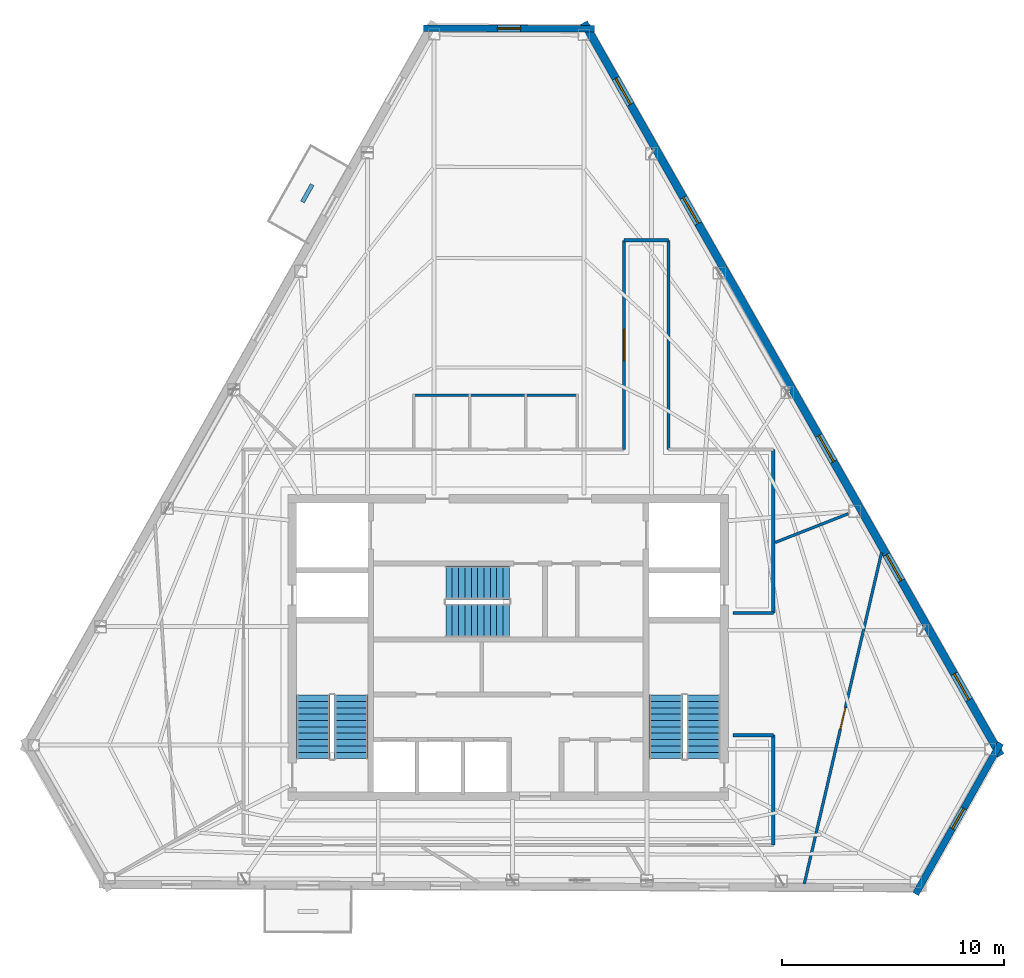
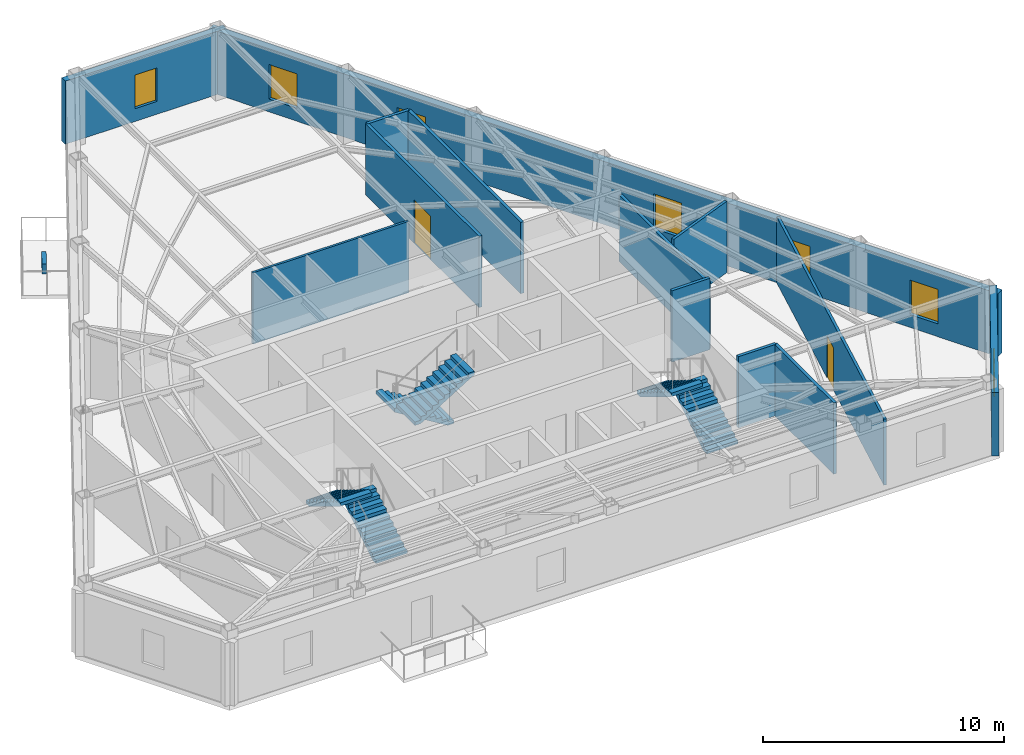
# One storey, part 9 of 10: 14 walls, 7 windows, 6 stair flights, 2 doors, 9 openings, 3 elements without a shape of their own.
"""IFC4 building model written with IfcOpenShell, lengths in metres."""

import ifcopenshell
import ifcopenshell.guid

model = None  # the IFC model being written
_history = None  # IfcOwnerHistory: only IFC2X3 demands one
_inside = {}  # id of a spatial element -> (the spatial element, [elements in it])
_under = {}  # id of a project, library or spatial element -> (it, [spatial elements below it])
_declared = {}  # id of a project -> (the project, [libraries it declares])
_typed = {}  # id of a type object -> (the type object, [elements of that type])
_made_of = {}  # id of a material, layer set ... -> (it, [elements and type objects made of it])


def new_model(schema):
    """Start an empty IFC model of exactly this schema.

    Asked for "IFC4X3", IfcOpenShell would pick the latest addendum, in which some entities
    have other attributes; the version numbers below select the first issue.
    IFC2X3 requires an IfcOwnerHistory on every rooted entity: one is made here for all.
    """
    global model, _history
    if schema == "IFC4X3":
        model = ifcopenshell.file(schema_version=(4, 3, 0, 0))
    else:
        model = ifcopenshell.file(schema=schema)
    _inside.clear()
    _under.clear()
    _declared.clear()
    _typed.clear()
    _made_of.clear()
    _history = None
    if model.schema == "IFC2X3":
        org = make("IfcOrganization", Name="unknown")
        user = make(
            "IfcPersonAndOrganization",
            ThePerson=make("IfcPerson", FamilyName="unknown"),
            TheOrganization=org,
        )
        app = make(
            "IfcApplication",
            ApplicationDeveloper=org,
            Version="unknown",
            ApplicationFullName="unknown",
            ApplicationIdentifier="unknown",
        )
        _history = make(
            "IfcOwnerHistory",
            OwningUser=user,
            OwningApplication=app,
            ChangeAction="ADDED",
            CreationDate=0,
        )
    return model


def make(cls, **values):
    """One entity of the class cls with the attributes given. An attribute that is None is left unset."""
    return model.create_entity(
        cls, **{name: value for name, value in values.items() if value is not None}
    )


def rooted(cls, **values):
    """An entity with a GlobalId (a new one), such as an element, a storey or a relation."""
    return make(cls, GlobalId=ifcopenshell.guid.new(), OwnerHistory=_history, **values)


def si_unit(unit_type, name, prefix=None):
    """IfcSIUnit, for example si_unit("LENGTHUNIT", "METRE", prefix="MILLI")."""
    return make("IfcSIUnit", UnitType=unit_type, Prefix=prefix, Name=name)


def assignment(units):
    """IfcUnitAssignment: the units of a project."""
    return None if units is None else make("IfcUnitAssignment", Units=units)


def point(xyz):
    """IfcCartesianPoint."""
    return None if xyz is None else make("IfcCartesianPoint", Coordinates=xyz)


def direction(xyz):
    """IfcDirection."""
    return None if xyz is None else make("IfcDirection", DirectionRatios=xyz)


def frame(location, z_axis=None, x_axis=None):
    """IfcAxis2Placement3D, a coordinate frame: its origin and axes. An axis left out is left unset."""
    return make(
        "IfcAxis2Placement3D",
        Location=point(location),
        Axis=direction(z_axis),
        RefDirection=direction(x_axis),
    )


def frame_2d(location, x_axis=None):
    """IfcAxis2Placement2D, a coordinate frame in the plane: its origin and x axis."""
    return make(
        "IfcAxis2Placement2D", Location=point(location), RefDirection=direction(x_axis)
    )


def origin():
    """The frame at (0, 0, 0) with its axes left unset."""
    return frame((0.0, 0.0, 0.0))


def place(relative_to, where):
    """IfcLocalPlacement: puts the frame where relative to a parent placement (None: the world)."""
    return make(
        "IfcLocalPlacement", PlacementRelTo=relative_to, RelativePlacement=where
    )


def context(
    kind, dimensions, precision=None, world=None, true_north=None, identifier=None
):
    """IfcGeometricRepresentationContext, for example the 3D "Model" context."""
    return make(
        "IfcGeometricRepresentationContext",
        ContextIdentifier=identifier,
        ContextType=kind,
        CoordinateSpaceDimension=dimensions,
        Precision=precision,
        WorldCoordinateSystem=world,
        TrueNorth=true_north,
    )


def subcontext(parent, identifier, kind, view, scale=None):
    """IfcGeometricRepresentationSubContext, for example "Body" below "Model"."""
    return make(
        "IfcGeometricRepresentationSubContext",
        ContextIdentifier=identifier,
        ContextType=kind,
        ParentContext=parent,
        TargetScale=scale,
        TargetView=view,
    )


def project(units=None, contexts=None):
    """IfcProject with its units and contexts."""
    return rooted(
        "IfcProject",
        Name="project",
        RepresentationContexts=contexts,
        UnitsInContext=assignment(units),
    )


def spatial(cls, under=None, at=None, **own):
    """A site, building, storey or space (cls), placed at a placement, below another one or the project."""
    s = rooted(cls, ObjectPlacement=at, **own)
    if under is not None:
        _under.setdefault(under.id(), (under, []))[1].append(s)
    return s


def polyline(points):
    """IfcPolyline through the points."""
    return make("IfcPolyline", Points=[point(p) for p in points])


def profile(cls, at=None, kind="AREA", **sizes):
    """A parametric profile (cls). Its sizes go by their IFC names, for example OverallWidth=200.0."""
    return make(cls, ProfileType=kind, Position=at, **sizes)


def rectangle(**sizes):
    """IfcRectangleProfileDef."""
    return profile("IfcRectangleProfileDef", **sizes)


def outline(outer, holes=None, kind="AREA"):
    """IfcArbitraryClosedProfileDef: a profile drawn as a closed curve; with holes, ...WithVoids."""
    if holes is None:
        return make("IfcArbitraryClosedProfileDef", ProfileType=kind, OuterCurve=outer)
    return make(
        "IfcArbitraryProfileDefWithVoids",
        ProfileType=kind,
        OuterCurve=outer,
        InnerCurves=holes,
    )


def extrude(swept, where, along, depth):
    """IfcExtrudedAreaSolid: the profile swept, set in the frame where, extruded along a direction by depth."""
    return make(
        "IfcExtrudedAreaSolid",
        SweptArea=swept,
        Position=where,
        ExtrudedDirection=direction(along),
        Depth=depth,
    )


def shape(context_of_items, identifier, shape_type, items):
    """IfcShapeRepresentation: the items that make up one representation, for example the "Body"."""
    return make(
        "IfcShapeRepresentation",
        ContextOfItems=context_of_items,
        RepresentationIdentifier=identifier,
        RepresentationType=shape_type,
        Items=items,
    )


def material(Name=None, Category=None):
    """IfcMaterial."""
    return make("IfcMaterial", Name=Name, Category=Category)


def layer(
    of_material, thickness, ventilated=None, Name=None, Category=None, Priority=None
):
    """IfcMaterialLayer: one layer of a wall or slab, of a material (None: an air gap)."""
    return make(
        "IfcMaterialLayer",
        Material=of_material,
        LayerThickness=thickness,
        IsVentilated=ventilated,
        Name=Name,
        Category=Category,
        Priority=Priority,
    )


def layer_set(layers, Name=None):
    """IfcMaterialLayerSet."""
    return make("IfcMaterialLayerSet", MaterialLayers=layers, LayerSetName=Name)


def made_of(thing, what):
    """Note that an element or type object is made of a material, layer set ...; save() writes the relation."""
    if what is not None:
        _made_of.setdefault(what.id(), (what, []))[1].append(thing)
    return thing


def type_object(cls, material=None, **own):
    """A type object (cls), such as IfcWallType, which elements share."""
    return made_of(rooted(cls, **own), material)


def element(
    cls,
    number,
    at=None,
    inside=None,
    cuts=None,
    type_object=None,
    material=None,
    context=None,
    identifier="Body",
    shape_type=None,
    held_by="IfcProductDefinitionShape",
    body=None,
    shapes=None,
    **own,
):
    """One element of the class cls, such as IfcWall. Its Tag is "e" and its number.

    at: its placement. inside: the storey or other place that contains it. cuts: it is an
    opening in that element (IfcRelVoidsElement). A single representation is given by context,
    identifier, shape_type and body (its items); several are given by shapes. held_by: the class
    of the entity that holds the representations. save() writes the other relations.
    """
    e = rooted(cls, Tag="e%d" % number, ObjectPlacement=at, **own)
    if body is not None:
        shapes = [shape(context, identifier, shape_type, body)]
    if shapes is not None:
        e.Representation = make(held_by, Representations=shapes)
    if inside is not None:
        _inside.setdefault(inside.id(), (inside, []))[1].append(e)
    if cuts is not None:
        rooted(
            "IfcRelVoidsElement", RelatingBuildingElement=cuts, RelatedOpeningElement=e
        )
    if type_object is not None:
        _typed.setdefault(type_object.id(), (type_object, []))[1].append(e)
    return made_of(e, material)


def fill(opening, filler):
    """IfcRelFillsElement: the door or window that sits in an opening."""
    return rooted(
        "IfcRelFillsElement",
        RelatingOpeningElement=opening,
        RelatedBuildingElement=filler,
    )


def aggregate(whole, parts):
    """IfcRelAggregates: a whole, such as a stair, and the parts it consists of."""
    return rooted("IfcRelAggregates", RelatingObject=whole, RelatedObjects=parts)


def save(model, path):
    """Write the relations noted so far, then the file.

    IfcRelAggregates (storeys below a building ...), IfcRelContainedInSpatialStructure (elements
    in a storey), IfcRelDefinesByType, IfcRelAssociatesMaterial and IfcRelDeclares: one each for
    every whole, place, type object, material and project.
    """
    for whole, parts in _under.values():
        aggregate(whole, parts)
    for where, things in _inside.values():
        rooted(
            "IfcRelContainedInSpatialStructure",
            RelatedElements=things,
            RelatingStructure=where,
        )
    for kind, things in _typed.values():
        rooted("IfcRelDefinesByType", RelatedObjects=things, RelatingType=kind)
    for what, things in _made_of.values():
        rooted("IfcRelAssociatesMaterial", RelatedObjects=things, RelatingMaterial=what)
    for by, libraries in _declared.values():
        rooted("IfcRelDeclares", RelatingContext=by, RelatedDefinitions=libraries)
    model.write(path)


model = new_model("IFC4")

# Units and contexts
model_context = context("Model", 3, precision=1e-05, world=origin(), true_north=direction((0.0, 1.0)))
body_context = subcontext(model_context, "Body", "Model", "MODEL_VIEW")
ifc_project = project(units=[si_unit("LENGTHUNIT", "METRE"), si_unit("AREAUNIT", "SQUARE_METRE"), si_unit("VOLUMEUNIT", "CUBIC_METRE"), si_unit("PLANEANGLEUNIT", "RADIAN"), si_unit("MASSUNIT", "GRAM", prefix="KILO")], contexts=[model_context])

# Site, building, storey
site_placement = place(None, origin())
site = spatial("IfcSite", under=ifc_project, at=site_placement, CompositionType="ELEMENT")
building_placement = place(site_placement, origin())
building = spatial("IfcBuilding", under=site, at=building_placement, Name="Kavelnor Concourse Tower", CompositionType="ELEMENT")
storey_placement = place(building_placement, frame((0.0, 0.0, 239.5)))
storey = spatial("IfcBuildingStorey", under=building, at=storey_placement, Name="L60", CompositionType="ELEMENT", Elevation=239.5)

# Wall, opening, window
ifc_material_1 = material(Name="Buff ironspot clay face brick masonry", Category="masonry")
ifc_layer_1 = layer(ifc_material_1, 0.300048828125, Name="Buff ironspot clay face brick masonry")
ifc_layer_set_1 = layer_set([ifc_layer_1], Name="Buff ironspot clay face brick masonry")
wall_type_1 = type_object("IfcWallType", Name="WL-EXT-BUFF-BRICK-FOLD-300", PredefinedType="STANDARD", material=ifc_layer_set_1)
wall_1_placement = place(storey_placement, frame((34.177001953125, 43.93798828125, 0.0), z_axis=(0.0, 0.0, 1.0), x_axis=(0.999991236214, -0.00418658515, 0.0)))
wall_1 = element("IfcWall", 1, at=wall_1_placement, inside=storey, type_object=wall_type_1, Name="L60 Exterior Brick Facade Wall E0", PredefinedType="STANDARD", context=body_context, shape_type="SweptSolid", body=[
    extrude(rectangle(XDim=7.697509765625, YDim=0.300048828125, at=frame_2d((3.8486328125, 0.0))), origin(), (0.0, 0.0, 1.0), 3.196044921875),
])
opening_1_placement = place(wall_1_placement, frame((3.323974609375, 0.0, 0.64990234375)))
opening_1 = element("IfcOpeningElement", 2, at=opening_1_placement, cuts=wall_1, Name="Opening W-06", PredefinedType="OPENING", context=body_context, shape_type="SweptSolid", body=[
    extrude(rectangle(XDim=1.050048828125, YDim=1.699951171875, at=frame_2d((0.52490234375, 0.85009765625))), frame((0.0, 0.16015625, 0.0), z_axis=(0.0, -1.0, 0.0), x_axis=(1.0, 0.0, 0.0)), (0.0, 0.0, 1.0), 0.320068359375),
])
ifc_material_2 = material(Name="Double low-E argon insulated glazing", Category="glass")
window_type_1 = type_object("IfcWindowType", Name="WIN-FOLD-1050", PartitioningType="SINGLE_PANEL", PredefinedType="WINDOW", material=ifc_material_2)
window_1_placement = place(opening_1_placement, origin())
window_1 = element("IfcWindow", 3, at=window_1_placement, inside=storey, type_object=window_type_1, Name="L60 Chamfer-Fold Facet Window C0", OverallHeight=1.699951171875, OverallWidth=1.050048828125, PartitioningType="SINGLE_PANEL", PredefinedType="WINDOW", context=body_context, shape_type="SweptSolid", body=[
    extrude(rectangle(XDim=1.050048828125, YDim=1.699951171875, at=frame_2d((0.52490234375, 0.85009765625))), frame((0.0, 0.030029296875, 0.0), z_axis=(0.0, -1.0, 0.0), x_axis=(1.0, 0.0, 0.0)), (0.0, 0.0, 1.0), 0.06005859375),
])
fill(opening_1, window_1)

wall_2_placement = place(storey_placement, frame((60.126220703125, 11.7958984375, 0.0), z_axis=(0.0, 0.0, 1.0), x_axis=(-0.490626070129, -0.87137021943, 0.0)))
wall_2 = element("IfcWall", 4, at=wall_2_placement, inside=storey, type_object=wall_type_1, Name="L60 Exterior Brick Facade Wall E4", PredefinedType="STANDARD", context=body_context, shape_type="SweptSolid", body=[
    extrude(rectangle(XDim=7.783203125, YDim=0.300048828125, at=frame_2d((3.8916015625, 0.0))), origin(), (0.0, 0.0, 1.0), 3.196044921875),
])
opening_2_placement = place(wall_2_placement, frame((3.366455078125, 0.0, 0.64990234375)))
opening_2 = element("IfcOpeningElement", 5, at=opening_2_placement, cuts=wall_2, Name="Opening W-06", PredefinedType="OPENING", context=body_context, shape_type="SweptSolid", body=[
    extrude(rectangle(XDim=1.050048828125, YDim=1.699951171875, at=frame_2d((0.52490234375, 0.85009765625))), frame((0.0, 0.16015625, 0.0), z_axis=(0.0, -1.0, 0.0), x_axis=(1.0, 0.0, 0.0)), (0.0, 0.0, 1.0), 0.320068359375),
])
window_2_placement = place(opening_2_placement, origin())
window_2 = element("IfcWindow", 6, at=window_2_placement, inside=storey, type_object=window_type_1, Name="L60 Chamfer-Fold Facet Window C2", OverallHeight=1.699951171875, OverallWidth=1.050048828125, PartitioningType="SINGLE_PANEL", PredefinedType="WINDOW", context=body_context, shape_type="SweptSolid", body=[
    extrude(rectangle(XDim=1.050048828125, YDim=1.699951171875, at=frame_2d((0.52490234375, 0.85009765625))), frame((0.0, 0.030029296875, 0.0), z_axis=(0.0, -1.0, 0.0), x_axis=(1.0, 0.0, 0.0)), (0.0, 0.0, 1.0), 0.06005859375),
])
fill(opening_2, window_2)

# Wall, openings, windows
ifc_material_3 = material(Name="Red-ochre clay face brick masonry", Category="masonry")
ifc_layer_2 = layer(ifc_material_3, 0.35009765625, Name="Red-ochre clay face brick masonry")
ifc_layer_set_2 = layer_set([ifc_layer_2], Name="Red-ochre clay face brick masonry")
wall_type_2 = type_object("IfcWallType", Name="WL-EXT-RED-BRICK-PIER-350", PredefinedType="STANDARD", material=ifc_layer_set_2)
wall_3_placement = place(storey_placement, frame((41.39404296875, 44.1865234375, 0.0), z_axis=(0.0, 0.0, 1.0), x_axis=(0.494287620829, -0.869298422807, 0.0)))
wall_3 = element("IfcWall", 7, at=wall_3_placement, inside=storey, type_object=wall_type_2, Name="L60 Exterior Brick Facade Wall E5", PredefinedType="STANDARD", context=body_context, shape_type="SweptSolid", body=[
    extrude(rectangle(XDim=37.8994140625, YDim=0.35009765625, at=frame_2d((18.94970703125, 0.0))), origin(), (0.0, 0.0, 1.0), 3.196044921875),
])
opening_3_placement = place(wall_3_placement, frame((33.673583984375, 0.0, 0.64990234375)))
opening_3 = element("IfcOpeningElement", 8, at=opening_3_placement, cuts=wall_3, Name="Opening W-04", PredefinedType="OPENING", context=body_context, shape_type="SweptSolid", body=[
    extrude(rectangle(XDim=1.35009765625, YDim=1.75, at=frame_2d((0.675048828125, 0.875))), frame((0.0, 0.18505859375, 0.0), z_axis=(0.0, -1.0, 0.0), x_axis=(1.0, 0.0, 0.0)), (0.0, 0.0, 1.0), 0.3701171875),
])
opening_4_placement = place(wall_3_placement, frame((27.515380859375, 0.0, 0.64990234375)))
opening_4 = element("IfcOpeningElement", 9, at=opening_4_placement, cuts=wall_3, Name="Opening W-04", PredefinedType="OPENING", context=body_context, shape_type="SweptSolid", body=[
    extrude(rectangle(XDim=1.35009765625, YDim=1.75, at=frame_2d((0.675048828125, 0.875))), frame((0.0, 0.18505859375, 0.0), z_axis=(0.0, -1.0, 0.0), x_axis=(1.0, 0.0, 0.0)), (0.0, 0.0, 1.0), 0.3701171875),
])
opening_5_placement = place(wall_3_placement, frame((21.35693359375, 0.0, 0.64990234375)))
opening_5 = element("IfcOpeningElement", 10, at=opening_5_placement, cuts=wall_3, Name="Opening W-04", PredefinedType="OPENING", context=body_context, shape_type="SweptSolid", body=[
    extrude(rectangle(XDim=1.35009765625, YDim=1.75, at=frame_2d((0.675048828125, 0.875))), frame((0.0, 0.18505859375, 0.0), z_axis=(0.0, -1.0, 0.0), x_axis=(1.0, 0.0, 0.0)), (0.0, 0.0, 1.0), 0.3701171875),
])
opening_6_placement = place(wall_3_placement, frame((9.040283203125, 0.0, 0.64990234375)))
opening_6 = element("IfcOpeningElement", 11, at=opening_6_placement, cuts=wall_3, Name="Opening W-04", PredefinedType="OPENING", context=body_context, shape_type="SweptSolid", body=[
    extrude(rectangle(XDim=1.35009765625, YDim=1.75, at=frame_2d((0.675048828125, 0.875))), frame((0.0, 0.18505859375, 0.0), z_axis=(0.0, -1.0, 0.0), x_axis=(1.0, 0.0, 0.0)), (0.0, 0.0, 1.0), 0.3701171875),
])
opening_7_placement = place(wall_3_placement, frame((2.882080078125, 0.0, 0.64990234375)))
opening_7 = element("IfcOpeningElement", 12, at=opening_7_placement, cuts=wall_3, Name="Opening W-04", PredefinedType="OPENING", context=body_context, shape_type="SweptSolid", body=[
    extrude(rectangle(XDim=1.35009765625, YDim=1.75, at=frame_2d((0.675048828125, 0.875))), frame((0.0, 0.18505859375, 0.0), z_axis=(0.0, -1.0, 0.0), x_axis=(1.0, 0.0, 0.0)), (0.0, 0.0, 1.0), 0.3701171875),
])
window_type_2 = type_object("IfcWindowType", Name="WIN-PIER-Z4-1350", PartitioningType="SINGLE_PANEL", PredefinedType="WINDOW", material=ifc_material_2)
window_3_placement = place(opening_3_placement, origin())
window_3 = element("IfcWindow", 13, at=window_3_placement, inside=storey, type_object=window_type_2, Name="L60 Deep-Set Brick Pier Window F2-B0", OverallHeight=1.75, OverallWidth=1.35009765625, PartitioningType="SINGLE_PANEL", PredefinedType="WINDOW", context=body_context, shape_type="SweptSolid", body=[
    extrude(rectangle(XDim=1.35009765625, YDim=1.75, at=frame_2d((0.675048828125, 0.875))), frame((0.0, 0.030029296875, 0.0), z_axis=(0.0, -1.0, 0.0), x_axis=(1.0, 0.0, 0.0)), (0.0, 0.0, 1.0), 0.06005859375),
])
fill(opening_3, window_3)
window_4_placement = place(opening_4_placement, origin())
window_4 = element("IfcWindow", 14, at=window_4_placement, inside=storey, type_object=window_type_2, Name="L60 Deep-Set Brick Pier Window F2-B1", OverallHeight=1.75, OverallWidth=1.35009765625, PartitioningType="SINGLE_PANEL", PredefinedType="WINDOW", context=body_context, shape_type="SweptSolid", body=[
    extrude(rectangle(XDim=1.35009765625, YDim=1.75, at=frame_2d((0.675048828125, 0.875))), frame((0.0, 0.030029296875, 0.0), z_axis=(0.0, -1.0, 0.0), x_axis=(1.0, 0.0, 0.0)), (0.0, 0.0, 1.0), 0.06005859375),
])
fill(opening_4, window_4)
window_5_placement = place(opening_5_placement, origin())
window_5 = element("IfcWindow", 15, at=window_5_placement, inside=storey, type_object=window_type_2, Name="L60 Deep-Set Brick Pier Window F2-B2", OverallHeight=1.75, OverallWidth=1.35009765625, PartitioningType="SINGLE_PANEL", PredefinedType="WINDOW", context=body_context, shape_type="SweptSolid", body=[
    extrude(rectangle(XDim=1.35009765625, YDim=1.75, at=frame_2d((0.675048828125, 0.875))), frame((0.0, 0.030029296875, 0.0), z_axis=(0.0, -1.0, 0.0), x_axis=(1.0, 0.0, 0.0)), (0.0, 0.0, 1.0), 0.06005859375),
])
fill(opening_5, window_5)
window_6_placement = place(opening_6_placement, origin())
window_6 = element("IfcWindow", 16, at=window_6_placement, inside=storey, type_object=window_type_2, Name="L60 Deep-Set Brick Pier Window F2-B4", OverallHeight=1.75, OverallWidth=1.35009765625, PartitioningType="SINGLE_PANEL", PredefinedType="WINDOW", context=body_context, shape_type="SweptSolid", body=[
    extrude(rectangle(XDim=1.35009765625, YDim=1.75, at=frame_2d((0.675048828125, 0.875))), frame((0.0, 0.030029296875, 0.0), z_axis=(0.0, -1.0, 0.0), x_axis=(1.0, 0.0, 0.0)), (0.0, 0.0, 1.0), 0.06005859375),
])
fill(opening_6, window_6)
window_7_placement = place(opening_7_placement, origin())
window_7 = element("IfcWindow", 17, at=window_7_placement, inside=storey, type_object=window_type_2, Name="L60 Deep-Set Brick Pier Window F2-B5", OverallHeight=1.75, OverallWidth=1.35009765625, PartitioningType="SINGLE_PANEL", PredefinedType="WINDOW", context=body_context, shape_type="SweptSolid", body=[
    extrude(rectangle(XDim=1.35009765625, YDim=1.75, at=frame_2d((0.675048828125, 0.875))), frame((0.0, 0.030029296875, 0.0), z_axis=(0.0, -1.0, 0.0), x_axis=(1.0, 0.0, 0.0)), (0.0, 0.0, 1.0), 0.06005859375),
])
fill(opening_7, window_7)

# Wall, opening, door
ifc_material_4 = material(Name="Gypsum plasterboard on light-gauge steel studs", Category="steel")
ifc_layer_3 = layer(ifc_material_4, 0.14501953125, Name="Gypsum plasterboard on light-gauge steel studs")
ifc_layer_set_3 = layer_set([ifc_layer_3], Name="Gypsum plasterboard on light-gauge steel studs")
wall_type_3 = type_object("IfcWallType", Name="WL-INT-CORR-145", PredefinedType="PARTITIONING", material=ifc_layer_set_3)
wall_4_placement = place(storey_placement, frame((43.199951171875, 24.989990234375, 0.0), z_axis=(0.0, 0.0, 1.0), x_axis=(0.0, 1.0, 0.0)))
wall_4 = element("IfcWall", 18, at=wall_4_placement, inside=storey, type_object=wall_type_3, Name="L60 Corridor Wall WL-L60-CR-01", PredefinedType="PARTITIONING", context=body_context, shape_type="SweptSolid", body=[
    extrude(rectangle(XDim=9.409912109375, YDim=0.14501953125, at=frame_2d((4.705078125, 0.0))), origin(), (0.0, 0.0, 1.0), 3.610107421875),
])
opening_8_placement = place(wall_4_placement, frame((4.0048828125, 0.0, 0.0)))
opening_8 = element("IfcOpeningElement", 19, at=opening_8_placement, cuts=wall_4, Name="Opening SD-140", PredefinedType="OPENING", context=body_context, shape_type="SweptSolid", body=[
    extrude(rectangle(XDim=1.39990234375, YDim=2.199951171875, at=frame_2d((0.699951171875, 1.10009765625))), frame((0.0, 0.08251953125, 0.0), z_axis=(0.0, -1.0, 0.0), x_axis=(1.0, 0.0, 0.0)), (0.0, 0.0, 1.0), 0.1650390625),
])
ifc_material_5 = material(Name="Solid-core hardwood timber", Category="wood")
door_type_1 = type_object("IfcDoorType", Name="DR-SUITE-ENTRY-1400", OperationType="NOTDEFINED", PredefinedType="DOOR", material=ifc_material_5)
door_1_placement = place(opening_8_placement, origin())
door_1 = element("IfcDoor", 20, at=door_1_placement, inside=storey, type_object=door_type_1, Name="L60 Technical Reference Library 01 Door", OperationType="SINGLE_SWING_RIGHT", OverallHeight=2.199951171875, OverallWidth=1.39990234375, PredefinedType="DOOR", context=body_context, shape_type="SweptSolid", body=[
    extrude(rectangle(XDim=1.39990234375, YDim=2.199951171875, at=frame_2d((0.699951171875, 1.10009765625))), frame((0.0, 0.02490234375, 0.0), z_axis=(0.0, -1.0, 0.0), x_axis=(1.0, 0.0, 0.0)), (0.0, 0.0, 1.0), 0.050048828125),
])
fill(opening_8, door_1)

# Walls
wall_5_placement = place(storey_placement, frame((43.199951171875, 34.39990234375, 0.0), z_axis=(0.0, 0.0, 1.0), x_axis=(1.0, 0.0, 0.0)))
element("IfcWall", 21, at=wall_5_placement, inside=storey, type_object=wall_type_3, Name="L60 Corridor Wall WL-L60-CR-02", PredefinedType="PARTITIONING", context=body_context, shape_type="SweptSolid", body=[
    extrude(rectangle(XDim=2.0, YDim=0.14501953125, at=frame_2d((1.0, 0.0))), origin(), (0.0, 0.0, 1.0), 3.610107421875),
])
wall_6_placement = place(storey_placement, frame((45.199951171875, 34.39990234375, 0.0), z_axis=(0.0, 0.0, 1.0), x_axis=(0.0, -1.0, 0.0)))
element("IfcWall", 22, at=wall_6_placement, inside=storey, type_object=wall_type_3, Name="L60 Corridor Wall WL-L60-CR-03", PredefinedType="PARTITIONING", context=body_context, shape_type="SweptSolid", body=[
    extrude(rectangle(XDim=9.409912109375, YDim=0.14501953125, at=frame_2d((4.705078125, 0.0))), origin(), (0.0, 0.0, 1.0), 3.610107421875),
])
wall_7_placement = place(storey_placement, frame((49.909912109375, 24.989990234375, 0.0), z_axis=(0.0, 0.0, 1.0), x_axis=(0.0, -1.0, 0.0)))
element("IfcWall", 23, at=wall_7_placement, inside=storey, type_object=wall_type_3, Name="L60 Corridor Wall WL-L60-CR-05", PredefinedType="PARTITIONING", context=body_context, shape_type="SweptSolid", body=[
    extrude(rectangle(XDim=7.340087890625, YDim=0.14501953125, at=frame_2d((3.669921875, 0.0))), origin(), (0.0, 0.0, 1.0), 3.34912109375),
])
for number, where, z_axis, x_axis, name in (
    (24, (49.909912109375, 17.64990234375, 0.0), (0.0, 0.0, 1.0), (-1.0, 0.0, 0.0), "L60 Corridor Wall WL-L60-CR-06"),
    (25, (48.090087890625, 12.14990234375, 0.0), (0.0, 0.0, 1.0), (1.0, 0.0, 0.0), "L60 Corridor Wall WL-L60-CR-07"),
):
    element("IfcWall", number, at=place(storey_placement, frame(where, z_axis=z_axis, x_axis=x_axis)), inside=storey, type_object=wall_type_3, Name=name, PredefinedType="PARTITIONING", context=body_context, shape_type="SweptSolid", body=[
        extrude(rectangle(XDim=1.81982421875, YDim=0.14501953125, at=frame_2d((0.909912109375, 0.0))), origin(), (0.0, 0.0, 1.0), 3.610107421875),
    ])
wall_8_placement = place(storey_placement, frame((49.909912109375, 12.14990234375, 0.0), z_axis=(0.0, 0.0, 1.0), x_axis=(0.0, -1.0, 0.0)))
element("IfcWall", 26, at=wall_8_placement, inside=storey, type_object=wall_type_3, Name="L60 Corridor Wall WL-L60-CR-08", PredefinedType="PARTITIONING", context=body_context, shape_type="SweptSolid", body=[
    extrude(rectangle(XDim=4.93994140625, YDim=0.14501953125, at=frame_2d((2.469970703125, 0.0))), origin(), (0.0, 0.0, 1.0), 3.610107421875),
])
ifc_layer_4 = layer(ifc_material_4, 0.125, Name="Gypsum plasterboard on light-gauge steel studs")
ifc_layer_set_4 = layer_set([ifc_layer_4], Name="Gypsum plasterboard on light-gauge steel studs")
wall_type_4 = type_object("IfcWallType", Name="WL-INT-SUITE-125", PredefinedType="PARTITIONING", material=ifc_layer_set_4)
wall_9_placement = place(storey_placement, frame((49.990478515625, 20.815673828125, 0.0), z_axis=(0.0, 0.0, 1.0), x_axis=(0.930607179135, 0.366019505139, 0.0)))
element("IfcWall", 27, at=wall_9_placement, inside=storey, type_object=wall_type_4, Name="L60 Radial Suite Partition 01", PredefinedType="PARTITIONING", context=body_context, shape_type="SweptSolid", body=[
    extrude(rectangle(XDim=3.53857421875, YDim=0.125, at=frame_2d((1.769287109375, 0.0))), origin(), (0.0, 0.0, 1.0), 3.610107421875),
])

# Wall, opening, door
wall_10_placement = place(storey_placement, frame((51.301025390625, 5.467529296875, 0.0), z_axis=(0.0, 0.0, 1.0), x_axis=(0.22721648706, 0.973844272976, 0.0)))
wall_10 = element("IfcWall", 28, at=wall_10_placement, inside=storey, type_object=wall_type_4, Name="L60 Suite Subdivision Partition 04", PredefinedType="PARTITIONING", context=body_context, shape_type="SweptSolid", body=[
    extrude(rectangle(XDim=15.284423828125, YDim=0.125, at=frame_2d((7.64208984375, 0.0))), origin(), (0.0, 0.0, 1.0), 3.34912109375),
])
opening_9_placement = place(wall_10_placement, frame((7.15234375, 0.0, 0.0)))
opening_9 = element("IfcOpeningElement", 29, at=opening_9_placement, cuts=wall_10, Name="Opening OD-098", PredefinedType="OPENING", context=body_context, shape_type="SweptSolid", body=[
    extrude(rectangle(XDim=0.97998046875, YDim=2.14990234375, at=frame_2d((0.489990234375, 1.074951171875))), frame((0.0, 0.072509765625, 0.0), z_axis=(0.0, -1.0, 0.0), x_axis=(1.0, 0.0, 0.0)), (0.0, 0.0, 1.0), 0.14501953125),
])
door_type_2 = type_object("IfcDoorType", Name="DR-OFFICE-980", OperationType="NOTDEFINED", PredefinedType="DOOR", material=ifc_material_5)
door_2_placement = place(opening_9_placement, origin())
door_2 = element("IfcDoor", 30, at=door_2_placement, inside=storey, type_object=door_type_2, Name="L60 Workplace Open Office 07 Door", OperationType="SINGLE_SWING_RIGHT", OverallHeight=2.14990234375, OverallWidth=0.97998046875, PredefinedType="DOOR", context=body_context, shape_type="SweptSolid", body=[
    extrude(rectangle(XDim=0.97998046875, YDim=2.14990234375, at=frame_2d((0.489990234375, 1.074951171875))), frame((0.0, 0.02490234375, 0.0), z_axis=(0.0, -1.0, 0.0), x_axis=(1.0, 0.0, 0.0)), (0.0, 0.0, 1.0), 0.050048828125),
])
fill(opening_9, door_2)

# Walls
ifc_layer_5 = layer(ifc_material_4, 0.110107421875, Name="Gypsum plasterboard on light-gauge steel studs")
ifc_layer_set_5 = layer_set([ifc_layer_5], Name="Gypsum plasterboard on light-gauge steel studs")
wall_type_5 = type_object("IfcWallType", Name="WL-INT-WC-110", PredefinedType="PLUMBINGWALL", material=ifc_layer_set_5)
wall_11_placement = place(storey_placement, frame((33.68994140625, 27.43994140625, 0.0), z_axis=(0.0, 0.0, 1.0), x_axis=(1.0, 0.0, 0.0)))
element("IfcWall", 31, at=wall_11_placement, inside=storey, type_object=wall_type_5, Name="L60 Sanitary Partition WL-L60-WC-N", PredefinedType="PLUMBINGWALL", context=body_context, shape_type="SweptSolid", body=[
    extrude(rectangle(XDim=7.4599609375, YDim=0.110107421875, at=frame_2d((3.72998046875, 0.0))), origin(), (0.0, 0.0, 1.0), 3.610107421875),
])
ifc_material_6 = material(Name="Architectural precast planter concrete C40/50", Category="concrete")
ifc_layer_6 = layer(ifc_material_6, 0.18994140625, Name="Architectural precast planter concrete C40/50")
ifc_layer_set_6 = layer_set([ifc_layer_6], Name="Architectural precast planter concrete C40/50")
wall_type_6 = type_object("IfcWallType", Name="WL-PLANTER-KERB-190", PredefinedType="USERDEFINED", material=ifc_layer_set_6)
wall_12_placement = place(storey_placement, frame((29.182373046875, 36.906982421875, 0.0), z_axis=(0.0, 0.0, 1.0), x_axis=(-0.490724822161, -0.871314609607, 0.0)))
element("IfcWall", 32, at=wall_12_placement, inside=storey, type_object=wall_type_6, Name="L60 Tree Balcony 1 Tree Planter Kerb", ObjectType="PLANTER", PredefinedType="USERDEFINED", context=body_context, shape_type="SweptSolid", body=[
    extrude(rectangle(XDim=0.89990234375, YDim=0.18994140625, at=frame_2d((0.449951171875, 0.0))), origin(), (0.0, 0.0, 1.0), 0.5),
])

# Stair, stair flights
ifc_material_7 = material(Name="Concrete C40/50", Category="concrete")
stair_type = type_object("IfcStairType", Name="STR-CORE-1500", PredefinedType="HALF_TURN_STAIR", material=ifc_material_7)
stair_1_placement = place(storey_placement, origin())
stair_1 = element("IfcStair", 33, at=stair_1_placement, inside=storey, type_object=stair_type, Name="L60 ST1", PredefinedType="HALF_TURN_STAIR")
stair_flight_type = type_object("IfcStairFlightType", Name="STR-FLIGHT-1500", PredefinedType="STRAIGHT", material=ifc_material_7)
stair_flight_1_placement = place(storey_placement, frame((30.929931640625, 11.10009765625, 0.0), z_axis=(0.0, 0.0, 1.0), x_axis=(0.0, 1.0, 0.0)))
stair_flight_1 = element("IfcStairFlight", 34, at=stair_flight_1_placement, type_object=stair_flight_type, Name="ST1 flight 1", NumberOfRisers=11, NumberOfTreads=10, PredefinedType="STRAIGHT", RiserHeight=0.175, TreadLength=0.285, context=body_context, shape_type="SweptSolid", body=[
    extrude(outline(polyline([(0.0, 0.0), (0.0, 0.175048828125), (0.284912109375, 0.175048828125), (0.284912109375, 0.35009765625), (0.570068359375, 0.35009765625), (0.570068359375, 0.52490234375), (0.85498046875, 0.52490234375), (0.85498046875, 0.699951171875), (1.139892578125, 0.699951171875), (1.139892578125, 0.875), (1.425048828125, 0.875), (1.425048828125, 1.050048828125), (1.7099609375, 1.050048828125), (1.7099609375, 1.22509765625), (1.9951171875, 1.22509765625), (1.9951171875, 1.39990234375), (2.280029296875, 1.39990234375), (2.280029296875, 1.574951171875), (2.56494140625, 1.574951171875), (2.56494140625, 1.75), (2.85009765625, 1.75), (2.85009765625, 1.925048828125), (2.85009765625, 1.573974609375), (0.286376953125, 0.0), (0.0, 0.0)])), frame((0.0, 0.75, 0.0), z_axis=(0.0, -1.0, 0.0), x_axis=(1.0, 0.0, 0.0)), (0.0, 0.0, 1.0), 1.5),
])
stair_flight_2_placement = place(storey_placement, frame((29.22998046875, 13.949951171875, 1.925048828125), z_axis=(0.0, 0.0, 1.0), x_axis=(0.0, -1.0, 0.0)))
stair_flight_2 = element("IfcStairFlight", 35, at=stair_flight_2_placement, type_object=stair_flight_type, Name="ST1 flight 2", NumberOfRisers=11, NumberOfTreads=10, PredefinedType="STRAIGHT", RiserHeight=0.175, TreadLength=0.285, context=body_context, shape_type="SweptSolid", body=[
    extrude(outline(polyline([(0.0, 0.0), (0.0, 0.175048828125), (0.284912109375, 0.175048828125), (0.284912109375, 0.35009765625), (0.570068359375, 0.35009765625), (0.570068359375, 0.52490234375), (0.85498046875, 0.52490234375), (0.85498046875, 0.699951171875), (1.139892578125, 0.699951171875), (1.139892578125, 0.875), (1.425048828125, 0.875), (1.425048828125, 1.050048828125), (1.7099609375, 1.050048828125), (1.7099609375, 1.22509765625), (1.9951171875, 1.22509765625), (1.9951171875, 1.39990234375), (2.280029296875, 1.39990234375), (2.280029296875, 1.574951171875), (2.56494140625, 1.574951171875), (2.56494140625, 1.75), (2.85009765625, 1.75), (2.85009765625, 1.925048828125), (2.85009765625, 1.573974609375), (0.286376953125, 0.0), (0.0, 0.0)])), frame((0.0, 0.75, 0.0), z_axis=(0.0, -1.0, 0.0), x_axis=(1.0, 0.0, 0.0)), (0.0, 0.0, 1.0), 1.5),
])
aggregate(stair_1, [stair_flight_1, stair_flight_2])

stair_2_placement = place(storey_placement, origin())
stair_2 = element("IfcStair", 36, at=stair_2_placement, inside=storey, type_object=stair_type, Name="L60 ST2", PredefinedType="HALF_TURN_STAIR")
stair_flight_3_placement = place(storey_placement, frame((46.77001953125, 11.10009765625, 0.0), z_axis=(0.0, 0.0, 1.0), x_axis=(0.0, 1.0, 0.0)))
stair_flight_3 = element("IfcStairFlight", 37, at=stair_flight_3_placement, type_object=stair_flight_type, Name="ST2 flight 1", NumberOfRisers=11, NumberOfTreads=10, PredefinedType="STRAIGHT", RiserHeight=0.175, TreadLength=0.285, context=body_context, shape_type="SweptSolid", body=[
    extrude(outline(polyline([(0.0, 0.0), (0.0, 0.175048828125), (0.284912109375, 0.175048828125), (0.284912109375, 0.35009765625), (0.570068359375, 0.35009765625), (0.570068359375, 0.52490234375), (0.85498046875, 0.52490234375), (0.85498046875, 0.699951171875), (1.139892578125, 0.699951171875), (1.139892578125, 0.875), (1.425048828125, 0.875), (1.425048828125, 1.050048828125), (1.7099609375, 1.050048828125), (1.7099609375, 1.22509765625), (1.9951171875, 1.22509765625), (1.9951171875, 1.39990234375), (2.280029296875, 1.39990234375), (2.280029296875, 1.574951171875), (2.56494140625, 1.574951171875), (2.56494140625, 1.75), (2.85009765625, 1.75), (2.85009765625, 1.925048828125), (2.85009765625, 1.573974609375), (0.286376953125, 0.0), (0.0, 0.0)])), frame((0.0, 0.75, 0.0), z_axis=(0.0, -1.0, 0.0), x_axis=(1.0, 0.0, 0.0)), (0.0, 0.0, 1.0), 1.5),
])
stair_flight_4_placement = place(storey_placement, frame((45.070068359375, 13.949951171875, 1.925048828125), z_axis=(0.0, 0.0, 1.0), x_axis=(0.0, -1.0, 0.0)))
stair_flight_4 = element("IfcStairFlight", 38, at=stair_flight_4_placement, type_object=stair_flight_type, Name="ST2 flight 2", NumberOfRisers=11, NumberOfTreads=10, PredefinedType="STRAIGHT", RiserHeight=0.175, TreadLength=0.285, context=body_context, shape_type="SweptSolid", body=[
    extrude(outline(polyline([(0.0, 0.0), (0.0, 0.175048828125), (0.284912109375, 0.175048828125), (0.284912109375, 0.35009765625), (0.570068359375, 0.35009765625), (0.570068359375, 0.52490234375), (0.85498046875, 0.52490234375), (0.85498046875, 0.699951171875), (1.139892578125, 0.699951171875), (1.139892578125, 0.875), (1.425048828125, 0.875), (1.425048828125, 1.050048828125), (1.7099609375, 1.050048828125), (1.7099609375, 1.22509765625), (1.9951171875, 1.22509765625), (1.9951171875, 1.39990234375), (2.280029296875, 1.39990234375), (2.280029296875, 1.574951171875), (2.56494140625, 1.574951171875), (2.56494140625, 1.75), (2.85009765625, 1.75), (2.85009765625, 1.925048828125), (2.85009765625, 1.573974609375), (0.286376953125, 0.0), (0.0, 0.0)])), frame((0.0, 0.75, 0.0), z_axis=(0.0, -1.0, 0.0), x_axis=(1.0, 0.0, 0.0)), (0.0, 0.0, 1.0), 1.5),
])
aggregate(stair_2, [stair_flight_3, stair_flight_4])

stair_3_placement = place(storey_placement, origin())
stair_3 = element("IfcStair", 39, at=stair_3_placement, inside=storey, type_object=stair_type, Name="L60 ST3", PredefinedType="HALF_TURN_STAIR")
stair_flight_5_placement = place(storey_placement, frame((38.0400390625, 19.010009765625, 0.0), z_axis=(0.0, 0.0, 1.0), x_axis=(-1.0, 0.0, 0.0)))
stair_flight_5 = element("IfcStairFlight", 40, at=stair_flight_5_placement, type_object=stair_flight_type, Name="ST3 flight 1", NumberOfRisers=11, NumberOfTreads=10, PredefinedType="STRAIGHT", RiserHeight=0.175, TreadLength=0.285, context=body_context, shape_type="SweptSolid", body=[
    extrude(outline(polyline([(0.0, 0.0), (0.0, 0.175048828125), (0.284912109375, 0.175048828125), (0.284912109375, 0.35009765625), (0.570068359375, 0.35009765625), (0.570068359375, 0.52490234375), (0.85498046875, 0.52490234375), (0.85498046875, 0.699951171875), (1.139892578125, 0.699951171875), (1.139892578125, 0.875), (1.425048828125, 0.875), (1.425048828125, 1.050048828125), (1.7099609375, 1.050048828125), (1.7099609375, 1.22509765625), (1.9951171875, 1.22509765625), (1.9951171875, 1.39990234375), (2.280029296875, 1.39990234375), (2.280029296875, 1.574951171875), (2.56494140625, 1.574951171875), (2.56494140625, 1.75), (2.85009765625, 1.75), (2.85009765625, 1.925048828125), (2.85009765625, 1.573974609375), (0.286376953125, 0.0), (0.0, 0.0)])), frame((0.0, 0.75, 0.0), z_axis=(0.0, -1.0, 0.0), x_axis=(1.0, 0.0, 0.0)), (0.0, 0.0, 1.0), 1.5),
])
stair_flight_6_placement = place(storey_placement, frame((35.18994140625, 17.31005859375, 1.925048828125), z_axis=(0.0, 0.0, 1.0), x_axis=(1.0, 0.0, 0.0)))
stair_flight_6 = element("IfcStairFlight", 41, at=stair_flight_6_placement, type_object=stair_flight_type, Name="ST3 flight 2", NumberOfRisers=11, NumberOfTreads=10, PredefinedType="STRAIGHT", RiserHeight=0.175, TreadLength=0.285, context=body_context, shape_type="SweptSolid", body=[
    extrude(outline(polyline([(0.0, 0.0), (0.0, 0.175048828125), (0.284912109375, 0.175048828125), (0.284912109375, 0.35009765625), (0.570068359375, 0.35009765625), (0.570068359375, 0.52490234375), (0.85498046875, 0.52490234375), (0.85498046875, 0.699951171875), (1.139892578125, 0.699951171875), (1.139892578125, 0.875), (1.425048828125, 0.875), (1.425048828125, 1.050048828125), (1.7099609375, 1.050048828125), (1.7099609375, 1.22509765625), (1.9951171875, 1.22509765625), (1.9951171875, 1.39990234375), (2.280029296875, 1.39990234375), (2.280029296875, 1.574951171875), (2.56494140625, 1.574951171875), (2.56494140625, 1.75), (2.85009765625, 1.75), (2.85009765625, 1.925048828125), (2.85009765625, 1.573974609375), (0.286376953125, 0.0), (0.0, 0.0)])), frame((0.0, 0.75, 0.0), z_axis=(0.0, -1.0, 0.0), x_axis=(1.0, 0.0, 0.0)), (0.0, 0.0, 1.0), 1.5),
])
aggregate(stair_3, [stair_flight_5, stair_flight_6])

save(model, "model.ifc")
